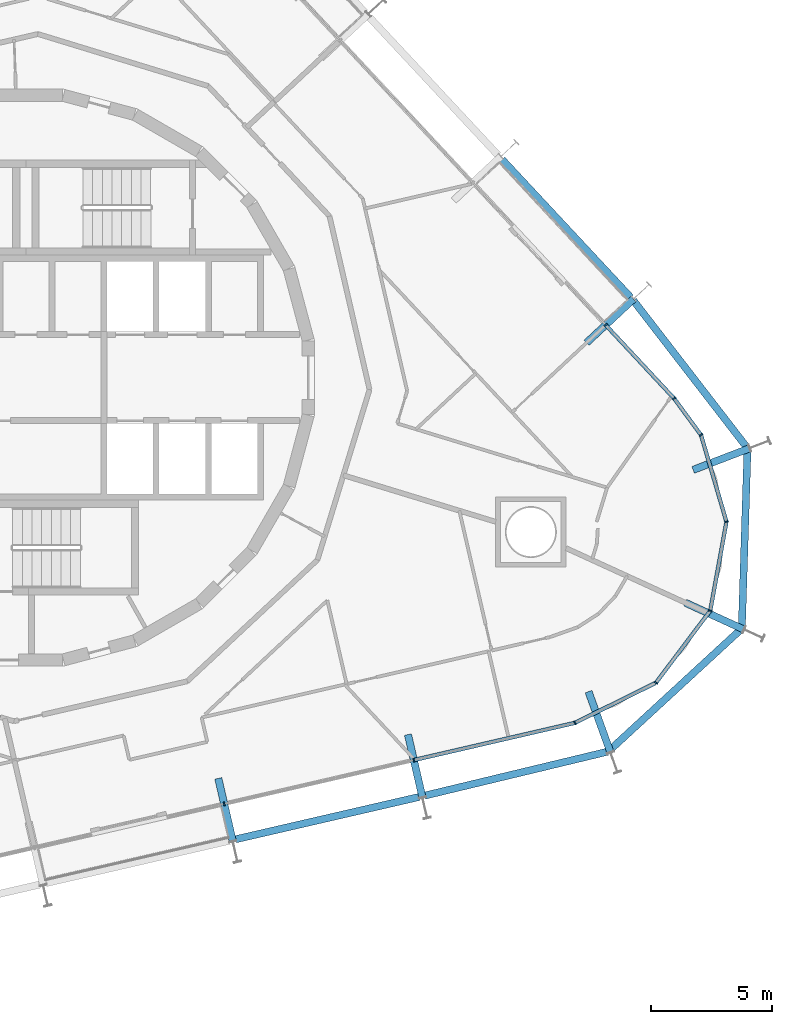
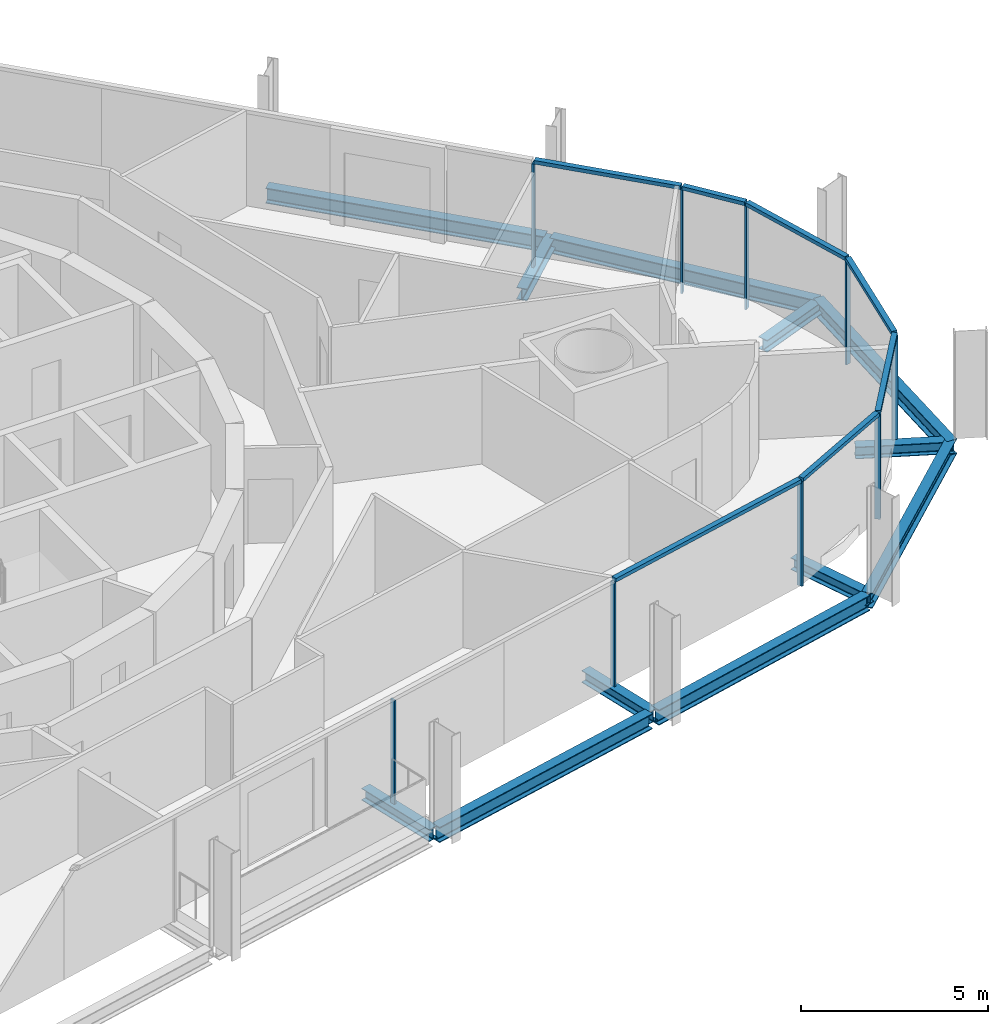
# One storey, part 6 of 18: 16 members, 12 beams, 3 elements without a shape of their own.
"""IFC4 building model written with IfcOpenShell, lengths in metres."""

from ifc_helpers import new_model, si_unit, direction, frame, origin, origin_2d, place, context, subcontext, project, spatial, rectangle, i_section, extrude, material, layer, layer_set, material_profile, profile_set, type_object, element, aggregate, save


model = new_model("IFC4")

# Units and contexts
model_context = context("Model", 3, precision=1e-05, world=origin(), true_north=direction((0.0, 1.0)))
body_context = subcontext(model_context, "Body", "Model", "MODEL_VIEW")
ifc_project = project(units=[si_unit("LENGTHUNIT", "METRE"), si_unit("AREAUNIT", "SQUARE_METRE"), si_unit("VOLUMEUNIT", "CUBIC_METRE"), si_unit("PLANEANGLEUNIT", "RADIAN"), si_unit("MASSUNIT", "GRAM", prefix="KILO")], contexts=[model_context])

# Site, building, storey
site_placement = place(None, origin())
site = spatial("IfcSite", under=ifc_project, at=site_placement, CompositionType="ELEMENT")
building_placement = place(site_placement, origin())
building = spatial("IfcBuilding", under=site, at=building_placement, Name="Spindle Arch Residences", CompositionType="ELEMENT")
storey_placement = place(building_placement, frame((0.0, 0.0, 137.89990234375)))
storey = spatial("IfcBuildingStorey", under=building, at=storey_placement, Name="L34", CompositionType="ELEMENT", Elevation=137.89990234375)

# Curtain wall, members
ifc_material_1 = material(Name="Aluminium bronze unitised frame with tinted glass", Category="aluminium")
ifc_layer_1 = layer(ifc_material_1, 0.159912109375)
ifc_layer_set_1 = layer_set([ifc_layer_1], Name="CW-D corner wall on the fillet arcs")
curtain_wall_type_1 = type_object("IfcCurtainWallType", Name="CW-D corner wall on the fillet arcs", PredefinedType="NOTDEFINED", material=ifc_layer_set_1)
curtain_wall_1_placement = place(storey_placement, origin())
curtain_wall_1 = element("IfcCurtainWall", 1, at=curtain_wall_1_placement, inside=storey, type_object=curtain_wall_type_1, Name="CW-D L34 run 1", PredefinedType="NOTDEFINED")
ifc_material_2 = material(Name="Aluminium bronze anodised mullion", Category="aluminium")
ifc_material_profile_1 = material_profile(ifc_material_2, rectangle(XDim=0.159912109375, YDim=0.06005859375, at=origin_2d()), Name="MU 60x160")
ifc_profile_set_1 = profile_set([ifc_material_profile_1], Name="Aluminium bronze anodised mullion")
member_type_1 = type_object("IfcMemberType", Name="Bronze mullion 60x160", PredefinedType="MULLION", material=ifc_profile_set_1)
member_1_placement = place(storey_placement, frame((16.002685546875, -15.775390625, -0.3798828125), z_axis=(0.0, 0.0, 1.0), x_axis=(-0.224951054344, 0.974370064785, 0.0)))
member_1 = element("IfcMember", 2, at=member_1_placement, type_object=member_type_1, Name="CW-D mullion 00", PredefinedType="MULLION", context=body_context, shape_type="SweptSolid", body=[
    extrude(rectangle(XDim=0.159912109375, YDim=0.06005859375, at=origin_2d()), origin(), (0.0, 0.0, 1.0), 3.3798828125),
])
member_2_placement = place(storey_placement, frame((22.647705078125, -14.2412109375, -0.3798828125), z_axis=(0.0, 0.0, 1.0), x_axis=(-0.443592675931, 0.896228507614, 0.0)))
member_2 = element("IfcMember", 3, at=member_2_placement, type_object=member_type_1, Name="CW-D mullion 01", PredefinedType="MULLION", context=body_context, shape_type="SweptSolid", body=[
    extrude(rectangle(XDim=0.159912109375, YDim=0.06005859375, at=origin_2d()), origin(), (0.0, 0.0, 1.0), 3.3798828125),
])
member_3_placement = place(storey_placement, frame((25.987548828125, -12.588134765625, -0.3798828125), z_axis=(0.0, 0.0, 1.0), x_axis=(-0.798635511056, 0.601815021814, 0.0)))
member_3 = element("IfcMember", 4, at=member_3_placement, type_object=member_type_1, Name="CW-D mullion 02", PredefinedType="MULLION", context=body_context, shape_type="SweptSolid", body=[
    extrude(rectangle(XDim=0.159912109375, YDim=0.06005859375, at=origin_2d()), origin(), (0.0, 0.0, 1.0), 3.3798828125),
])
member_4_placement = place(storey_placement, frame((28.23046875, -9.61181640625, -0.3798828125), z_axis=(0.0, 0.0, 1.0), x_axis=(-0.983780848179, 0.17937458782, 0.0)))
member_4 = element("IfcMember", 5, at=member_4_placement, type_object=member_type_1, Name="CW-D mullion 03", PredefinedType="MULLION", context=body_context, shape_type="SweptSolid", body=[
    extrude(rectangle(XDim=0.159912109375, YDim=0.06005859375, at=origin_2d()), origin(), (0.0, 0.0, 1.0), 3.3798828125),
])
member_5_placement = place(storey_placement, frame((28.89892578125, -5.945556640625, -0.3798828125), z_axis=(0.0, 0.0, 1.0), x_axis=(-0.959641844554, -0.281225052549, 0.0)))
member_5 = element("IfcMember", 6, at=member_5_placement, type_object=member_type_1, Name="CW-D mullion 04", PredefinedType="MULLION", context=body_context, shape_type="SweptSolid", body=[
    extrude(rectangle(XDim=0.159912109375, YDim=0.06005859375, at=origin_2d()), origin(), (0.0, 0.0, 1.0), 3.3798828125),
])
member_6_placement = place(storey_placement, frame((27.850830078125, -2.369140625, -0.3798828125), z_axis=(0.0, 0.0, 1.0), x_axis=(-0.805583724819, -0.592481951039, 0.0)))
member_6 = element("IfcMember", 7, at=member_6_placement, type_object=member_type_1, Name="CW-D mullion 05", PredefinedType="MULLION", context=body_context, shape_type="SweptSolid", body=[
    extrude(rectangle(XDim=0.159912109375, YDim=0.06005859375, at=origin_2d()), origin(), (0.0, 0.0, 1.0), 3.3798828125),
])
member_7_placement = place(storey_placement, frame((26.7392578125, -0.85791015625, -0.3798828125), z_axis=(0.0, 0.0, 1.0), x_axis=(-0.731353701619, -0.681998360062, 0.0)))
member_7 = element("IfcMember", 8, at=member_7_placement, type_object=member_type_1, Name="CW-D mullion 06", PredefinedType="MULLION", context=body_context, shape_type="SweptSolid", body=[
    extrude(rectangle(XDim=0.159912109375, YDim=0.06005859375, at=origin_2d()), origin(), (0.0, 0.0, 1.0), 3.3798828125),
])

# Curtain wall, member
ifc_material_3 = material(Name="Aluminium bronze unitised frame with tinted glass", Category="aluminium")
ifc_layer_2 = layer(ifc_material_3, 0.159912109375)
ifc_layer_set_2 = layer_set([ifc_layer_2], Name="CW-C typical residential unitised wall")
curtain_wall_type_2 = type_object("IfcCurtainWallType", Name="CW-C typical residential unitised wall", PredefinedType="NOTDEFINED", material=ifc_layer_set_2)
curtain_wall_2_placement = place(storey_placement, origin())
curtain_wall_2 = element("IfcCurtainWall", 9, at=curtain_wall_2_placement, inside=storey, type_object=curtain_wall_type_2, Name="CW-C L34 run 2", PredefinedType="NOTDEFINED")
member_8_placement = place(storey_placement, frame((23.91357421875, 2.172607421875, -0.3798828125), z_axis=(0.0, 0.0, 1.0), x_axis=(-0.731353701619, -0.681998360062, 0.0)))
member_8 = element("IfcMember", 10, at=member_8_placement, type_object=member_type_1, Name="CW-C mullion 05", PredefinedType="MULLION", context=body_context, shape_type="SweptSolid", body=[
    extrude(rectangle(XDim=0.159912109375, YDim=0.06005859375, at=origin_2d()), origin(), (0.0, 0.0, 1.0), 3.3798828125),
])
aggregate(curtain_wall_2, [member_8])

curtain_wall_3_placement = place(storey_placement, origin())
curtain_wall_3 = element("IfcCurtainWall", 11, at=curtain_wall_3_placement, inside=storey, type_object=curtain_wall_type_2, Name="CW-C L34 run 6", PredefinedType="NOTDEFINED")
member_9_placement = place(storey_placement, frame((8.17919921875, -17.58154296875, -0.3798828125), z_axis=(0.0, 0.0, 1.0), x_axis=(-0.224951054344, 0.974370064785, 0.0)))
member_9 = element("IfcMember", 12, at=member_9_placement, type_object=member_type_1, Name="CW-C mullion 00", PredefinedType="MULLION", context=body_context, shape_type="SweptSolid", body=[
    extrude(rectangle(XDim=0.159912109375, YDim=0.06005859375, at=origin_2d()), origin(), (0.0, 0.0, 1.0), 3.3798828125),
])
aggregate(curtain_wall_3, [member_9])

# Member
ifc_material_4 = material(Name="Aluminium bronze anodised transom", Category="aluminium")
ifc_material_profile_2 = material_profile(ifc_material_4, rectangle(XDim=0.159912109375, YDim=0.1201171875, at=origin_2d()), Name="TR 120x160")
ifc_profile_set_2 = profile_set([ifc_material_profile_2], Name="Aluminium bronze anodised transom")
member_type_2 = type_object("IfcMemberType", Name="Bronze transom 120x160", PredefinedType="USERDEFINED", material=ifc_profile_set_2)
member_10_placement = place(storey_placement, frame((16.03173828125, -15.7685546875, 3.06005859375), z_axis=(0.974374758263, 0.224930723691, 0.0), x_axis=(-0.224930723691, 0.974374758263, 0.0)))
member_10 = element("IfcMember", 13, at=member_10_placement, type_object=member_type_2, Name="CW-D transom 00", ObjectType="TRANSOM", PredefinedType="USERDEFINED", context=body_context, shape_type="SweptSolid", body=[
    extrude(rectangle(XDim=0.159912109375, YDim=0.1201171875, at=origin_2d()), origin(), (0.0, 0.0, 1.0), 6.760009765625),
])

member_11_placement = place(storey_placement, frame((22.674560546875, -14.22802734375, 3.06005859375), z_axis=(0.896204490037, 0.443641197408, 0.0), x_axis=(-0.443641197408, 0.896204490037, 0.0)))
member_11 = element("IfcMember", 14, at=member_11_placement, type_object=member_type_2, Name="CW-D transom 01", ObjectType="TRANSOM", PredefinedType="USERDEFINED", context=body_context, shape_type="SweptSolid", body=[
    extrude(rectangle(XDim=0.159912109375, YDim=0.1201171875, at=origin_2d()), origin(), (0.0, 0.0, 1.0), 3.666748046875),
])

member_12_placement = place(storey_placement, frame((26.005615234375, -12.564208984375, 3.06005859375), z_axis=(0.601820083797, 0.798631696553, 0.0), x_axis=(-0.798631696553, 0.601820083797, 0.0)))
member_12 = element("IfcMember", 15, at=member_12_placement, type_object=member_type_2, Name="CW-D transom 02", ObjectType="TRANSOM", PredefinedType="USERDEFINED", context=body_context, shape_type="SweptSolid", body=[
    extrude(rectangle(XDim=0.159912109375, YDim=0.1201171875, at=origin_2d()), origin(), (0.0, 0.0, 1.0), 3.666748046875),
])

member_13_placement = place(storey_placement, frame((28.23583984375, -9.582275390625, 3.06005859375), z_axis=(0.179377605594, 0.983780297938, 0.0), x_axis=(-0.983780297938, 0.179377605594, 0.0)))
member_13 = element("IfcMember", 16, at=member_13_placement, type_object=member_type_2, Name="CW-D transom 03", ObjectType="TRANSOM", PredefinedType="USERDEFINED", context=body_context, shape_type="SweptSolid", body=[
    extrude(rectangle(XDim=0.159912109375, YDim=0.1201171875, at=origin_2d()), origin(), (0.0, 0.0, 1.0), 3.666748046875),
])

member_14_placement = place(storey_placement, frame((28.890625, -5.916748046875, 3.06005859375), z_axis=(-0.281239778168, 0.959637529058, 0.0), x_axis=(-0.959637529058, -0.281239778168, 0.0)))
member_14 = element("IfcMember", 17, at=member_14_placement, type_object=member_type_2, Name="CW-D transom 04", ObjectType="TRANSOM", PredefinedType="USERDEFINED", context=body_context, shape_type="SweptSolid", body=[
    extrude(rectangle(XDim=0.159912109375, YDim=0.1201171875, at=origin_2d()), origin(), (0.0, 0.0, 1.0), 3.666748046875),
])

member_15_placement = place(storey_placement, frame((27.833251953125, -2.344970703125, 3.06005859375), z_axis=(-0.592575212526, 0.805515125557, 0.0), x_axis=(-0.805515125557, -0.592575212526, 0.0)))
member_15 = element("IfcMember", 18, at=member_15_placement, type_object=member_type_2, Name="CW-D transom 05", ObjectType="TRANSOM", PredefinedType="USERDEFINED", context=body_context, shape_type="SweptSolid", body=[
    extrude(rectangle(XDim=0.159912109375, YDim=0.1201171875, at=origin_2d()), origin(), (0.0, 0.0, 1.0), 1.816162109375),
])

member_16_placement = place(storey_placement, frame((26.718994140625, -0.8359375, 3.06005859375), z_axis=(-0.681983744213, 0.731367330846, 0.0), x_axis=(-0.731367330846, -0.681983744213, 0.0)))
member_16 = element("IfcMember", 19, at=member_16_placement, type_object=member_type_2, Name="CW-D transom 06", ObjectType="TRANSOM", PredefinedType="USERDEFINED", context=body_context, shape_type="SweptSolid", body=[
    extrude(rectangle(XDim=0.159912109375, YDim=0.1201171875, at=origin_2d()), origin(), (0.0, 0.0, 1.0), 4.08349609375),
])

aggregate(curtain_wall_1, [member_1, member_10, member_2, member_11, member_3, member_12, member_4, member_13, member_5, member_14, member_6, member_15, member_7, member_16])

# Beams
ifc_material_5 = material(Name="Steel S460ML, intumescent coating R 120", Category="steel")
ifc_material_profile_3 = material_profile(ifc_material_5, i_section(OverallWidth=0.300048828125, OverallDepth=0.5, WebThickness=0.014404296875, FlangeThickness=0.028076171875, FilletRadius=0.027099609375, at=origin_2d()), Name="HEB 500")
ifc_profile_set_3 = profile_set([ifc_material_profile_3], Name="Steel S460ML, intumescent coating R 120")
beam_type_1 = type_object("IfcBeamType", Name="Exoskeleton edge beam HEB 500", PredefinedType="BEAM", material=ifc_profile_set_3)
beam_1_placement = place(storey_placement, frame((8.64990234375, -19.043212890625, -0.6298828125), z_axis=(0.974368417755, 0.224958188297, 0.0), x_axis=(-0.224958188297, 0.974368417755, 0.0)))
element("IfcBeam", 20, at=beam_1_placement, inside=storey, type_object=beam_type_1, Name="Exoskeleton edge beam 1", PredefinedType="BEAM", context=body_context, shape_type="SweptSolid", body=[
    extrude(i_section(OverallWidth=0.300048828125, OverallDepth=0.5, WebThickness=0.014404296875, FlangeThickness=0.028076171875, FilletRadius=0.027099609375, at=origin_2d()), origin(), (0.0, 0.0, 1.0), 7.76953125),
])
beam_2_placement = place(storey_placement, frame((16.44482421875, -17.243408203125, -0.6298828125), z_axis=(0.972297635128, 0.233746248579, 0.0), x_axis=(-0.233746248579, 0.972297635128, 0.0)))
element("IfcBeam", 21, at=beam_2_placement, inside=storey, type_object=beam_type_1, Name="Exoskeleton edge beam 2", PredefinedType="BEAM", context=body_context, shape_type="SweptSolid", body=[
    extrude(i_section(OverallWidth=0.300048828125, OverallDepth=0.5, WebThickness=0.014404296875, FlangeThickness=0.028076171875, FilletRadius=0.027099609375, at=origin_2d()), origin(), (0.0, 0.0, 1.0), 7.7666015625),
])
for number, where, z_axis, x_axis, name in (
    (22, (24.025146484375, -15.419189453125, -0.6298828125), (0.73568442847, 0.677324458223, 0.0), (-0.677324458223, 0.73568442847, 0.0), "Exoskeleton edge beam 3"),
    (23, (29.5283203125, -10.42578125, -0.6298828125), (0.031715707037, 0.999496930424, 0.0), (-0.999496930424, 0.031715707037, 0.0), "Exoskeleton edge beam 4"),
):
    element("IfcBeam", number, at=place(storey_placement, frame(where, z_axis=z_axis, x_axis=x_axis)), inside=storey, type_object=beam_type_1, Name=name, PredefinedType="BEAM", context=body_context, shape_type="SweptSolid", body=[
        extrude(i_section(OverallWidth=0.300048828125, OverallDepth=0.5, WebThickness=0.014404296875, FlangeThickness=0.028076171875, FilletRadius=0.027099609375, at=origin_2d()), origin(), (0.0, 0.0, 1.0), 7.559326171875),
    ])
beam_3_placement = place(storey_placement, frame((29.766845703125, -2.91259765625, -0.6298828125), z_axis=(-0.611305970043, 0.791394346069, 0.0), x_axis=(-0.791394346069, -0.611305970043, 0.0)))
element("IfcBeam", 24, at=beam_3_placement, inside=storey, type_object=beam_type_1, Name="Exoskeleton edge beam 5", PredefinedType="BEAM", context=body_context, shape_type="SweptSolid", body=[
    extrude(i_section(OverallWidth=0.300048828125, OverallDepth=0.5, WebThickness=0.014404296875, FlangeThickness=0.028076171875, FilletRadius=0.027099609375, at=origin_2d()), origin(), (0.0, 0.0, 1.0), 7.708251953125),
])
beam_4_placement = place(storey_placement, frame((24.94384765625, 3.31103515625, -0.6298828125), z_axis=(-0.682008048331, 0.731344667042, 0.0), x_axis=(-0.731344667042, -0.682008048331, 0.0)))
element("IfcBeam", 25, at=beam_4_placement, inside=storey, type_object=beam_type_1, Name="Exoskeleton edge beam 6", PredefinedType="BEAM", context=body_context, shape_type="SweptSolid", body=[
    extrude(i_section(OverallWidth=0.300048828125, OverallDepth=0.5, WebThickness=0.014404296875, FlangeThickness=0.028076171875, FilletRadius=0.027099609375, at=origin_2d()), origin(), (0.0, 0.0, 1.0), 7.76904296875),
])
ifc_material_6 = material(Name="Steel S460ML, intumescent coating R 120", Category="steel")
ifc_material_profile_4 = material_profile(ifc_material_6, i_section(OverallWidth=0.300048828125, OverallDepth=0.389892578125, WebThickness=0.010986328125, FlangeThickness=0.01904296875, FilletRadius=0.027099609375, at=origin_2d()), Name="HEA 400")
ifc_profile_set_4 = profile_set([ifc_material_profile_4], Name="Steel S460ML, intumescent coating R 120")
beam_type_2 = type_object("IfcBeamType", Name="Floor outrigger HEA 400", PredefinedType="BEAM", material=ifc_profile_set_4)
for number, where, z_axis, x_axis, name in (
    (26, (8.532470703125, -19.111328125, -0.574951171875), (-0.224980619228, 0.974363238721, 0.0), (-0.974363238721, -0.224980619228, 0.0), "Floor outrigger 1"),
    (27, (16.355712890625, -17.30517578125, -0.574951171875), (-0.224893150114, 0.974383431218, 0.0), (-0.974383431218, -0.224893150114, 0.0), "Floor outrigger 2"),
):
    element("IfcBeam", number, at=place(storey_placement, frame(where, z_axis=z_axis, x_axis=x_axis)), inside=storey, type_object=beam_type_2, Name=name, PredefinedType="BEAM", context=body_context, shape_type="SweptSolid", body=[
        extrude(i_section(OverallWidth=0.300048828125, OverallDepth=0.389892578125, WebThickness=0.010986328125, FlangeThickness=0.01904296875, FilletRadius=0.027099609375, at=origin_2d()), origin(), (0.0, 0.0, 1.0), 2.64990234375),
    ])
beam_5_placement = place(storey_placement, frame((24.1083984375, -15.444580078125, -0.574951171875), z_axis=(-0.339759917159, 0.940512200183, 0.0), x_axis=(-0.940512200183, -0.339759917159, 0.0)))
element("IfcBeam", 28, at=beam_5_placement, inside=storey, type_object=beam_type_2, Name="Floor outrigger 3", PredefinedType="BEAM", context=body_context, shape_type="SweptSolid", body=[
    extrude(i_section(OverallWidth=0.300048828125, OverallDepth=0.389892578125, WebThickness=0.010986328125, FlangeThickness=0.01904296875, FilletRadius=0.027099609375, at=origin_2d()), origin(), (0.0, 0.0, 1.0), 2.650146484375),
])
beam_6_placement = place(storey_placement, frame((29.604736328125, -10.384033203125, -0.574951171875), z_axis=(-0.909319126007, 0.416099419703, 0.0), x_axis=(-0.416099419703, -0.909319126007, 0.0)))
element("IfcBeam", 29, at=beam_6_placement, inside=storey, type_object=beam_type_2, Name="Floor outrigger 4", PredefinedType="BEAM", context=body_context, shape_type="SweptSolid", body=[
    extrude(i_section(OverallWidth=0.300048828125, OverallDepth=0.389892578125, WebThickness=0.010986328125, FlangeThickness=0.01904296875, FilletRadius=0.027099609375, at=origin_2d()), origin(), (0.0, 0.0, 1.0), 2.649658203125),
])
beam_7_placement = place(storey_placement, frame((29.841796875, -2.9169921875, -0.574951171875), z_axis=(-0.933858846877, -0.35764179581, 0.0), x_axis=(0.35764179581, -0.933858846877, 0.0)))
element("IfcBeam", 30, at=beam_7_placement, inside=storey, type_object=beam_type_2, Name="Floor outrigger 5", PredefinedType="BEAM", context=body_context, shape_type="SweptSolid", body=[
    extrude(i_section(OverallWidth=0.300048828125, OverallDepth=0.389892578125, WebThickness=0.010986328125, FlangeThickness=0.01904296875, FilletRadius=0.027099609375, at=origin_2d()), origin(), (0.0, 0.0, 1.0), 2.484130859375),
])
beam_8_placement = place(storey_placement, frame((25.061767578125, 3.2431640625, -0.574951171875), z_axis=(-0.731321752584, -0.682032619599, 0.0), x_axis=(0.682032619599, -0.731321752584, 0.0)))
element("IfcBeam", 31, at=beam_8_placement, inside=storey, type_object=beam_type_2, Name="Floor outrigger 6", PredefinedType="BEAM", context=body_context, shape_type="SweptSolid", body=[
    extrude(i_section(OverallWidth=0.300048828125, OverallDepth=0.389892578125, WebThickness=0.010986328125, FlangeThickness=0.01904296875, FilletRadius=0.027099609375, at=origin_2d()), origin(), (0.0, 0.0, 1.0), 2.64990234375),
])

save(model, "model.ifc")
